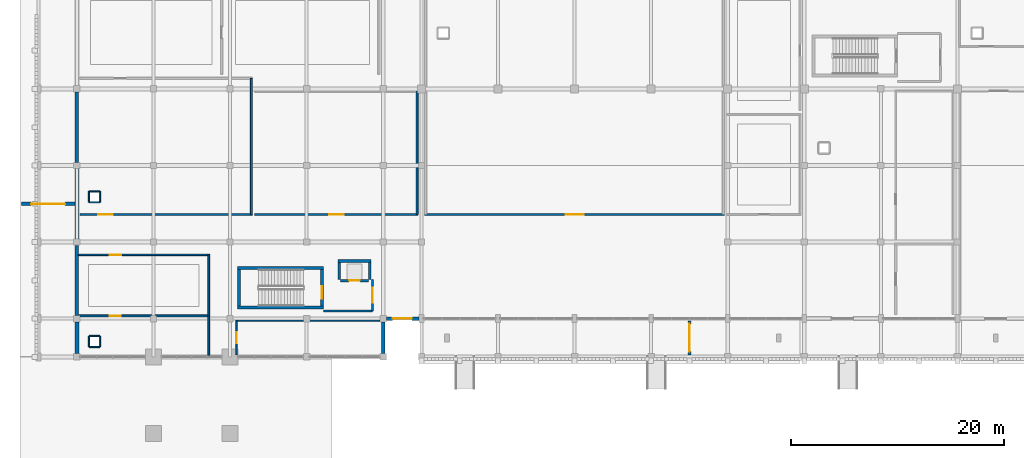
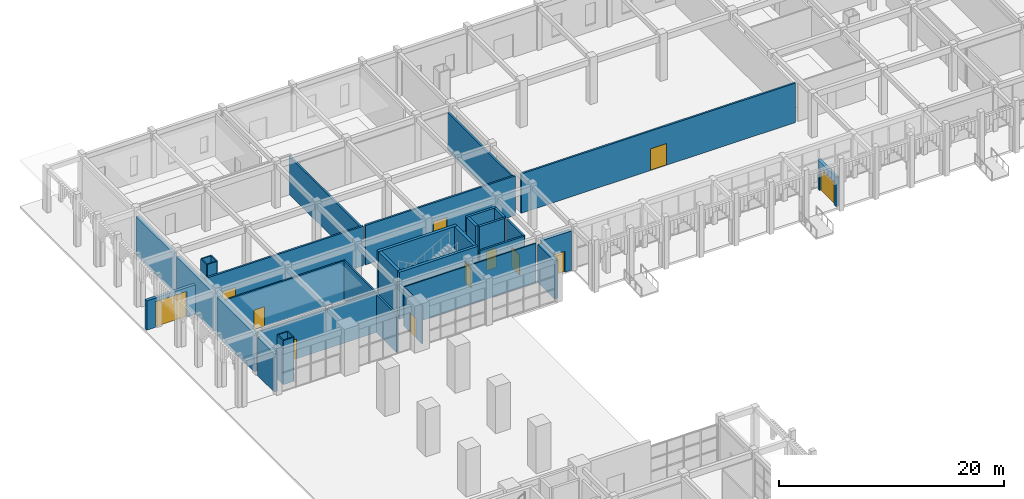
# One storey, part 37 of 72: 37 walls, 12 doors, 12 openings.
"""IFC4 building model written with IfcOpenShell, lengths in metres."""

import ifcopenshell
import ifcopenshell.guid

model = None  # the IFC model being written
_history = None  # IfcOwnerHistory: only IFC2X3 demands one
_inside = {}  # id of a spatial element -> (the spatial element, [elements in it])
_under = {}  # id of a project, library or spatial element -> (it, [spatial elements below it])
_declared = {}  # id of a project -> (the project, [libraries it declares])
_typed = {}  # id of a type object -> (the type object, [elements of that type])
_made_of = {}  # id of a material, layer set ... -> (it, [elements and type objects made of it])


def new_model(schema):
    """Start an empty IFC model of exactly this schema.

    Asked for "IFC4X3", IfcOpenShell would pick the latest addendum, in which some entities
    have other attributes; the version numbers below select the first issue.
    IFC2X3 requires an IfcOwnerHistory on every rooted entity: one is made here for all.
    """
    global model, _history
    if schema == "IFC4X3":
        model = ifcopenshell.file(schema_version=(4, 3, 0, 0))
    else:
        model = ifcopenshell.file(schema=schema)
    _inside.clear()
    _under.clear()
    _declared.clear()
    _typed.clear()
    _made_of.clear()
    _history = None
    if model.schema == "IFC2X3":
        org = make("IfcOrganization", Name="unknown")
        user = make(
            "IfcPersonAndOrganization",
            ThePerson=make("IfcPerson", FamilyName="unknown"),
            TheOrganization=org,
        )
        app = make(
            "IfcApplication",
            ApplicationDeveloper=org,
            Version="unknown",
            ApplicationFullName="unknown",
            ApplicationIdentifier="unknown",
        )
        _history = make(
            "IfcOwnerHistory",
            OwningUser=user,
            OwningApplication=app,
            ChangeAction="ADDED",
            CreationDate=0,
        )
    return model


def make(cls, **values):
    """One entity of the class cls with the attributes given. An attribute that is None is left unset."""
    return model.create_entity(
        cls, **{name: value for name, value in values.items() if value is not None}
    )


def rooted(cls, **values):
    """An entity with a GlobalId (a new one), such as an element, a storey or a relation."""
    return make(cls, GlobalId=ifcopenshell.guid.new(), OwnerHistory=_history, **values)


def si_unit(unit_type, name, prefix=None):
    """IfcSIUnit, for example si_unit("LENGTHUNIT", "METRE", prefix="MILLI")."""
    return make("IfcSIUnit", UnitType=unit_type, Prefix=prefix, Name=name)


def assignment(units):
    """IfcUnitAssignment: the units of a project."""
    return None if units is None else make("IfcUnitAssignment", Units=units)


def point(xyz):
    """IfcCartesianPoint."""
    return None if xyz is None else make("IfcCartesianPoint", Coordinates=xyz)


def direction(xyz):
    """IfcDirection."""
    return None if xyz is None else make("IfcDirection", DirectionRatios=xyz)


def frame(location, z_axis=None, x_axis=None):
    """IfcAxis2Placement3D, a coordinate frame: its origin and axes. An axis left out is left unset."""
    return make(
        "IfcAxis2Placement3D",
        Location=point(location),
        Axis=direction(z_axis),
        RefDirection=direction(x_axis),
    )


def frame_2d(location, x_axis=None):
    """IfcAxis2Placement2D, a coordinate frame in the plane: its origin and x axis."""
    return make(
        "IfcAxis2Placement2D", Location=point(location), RefDirection=direction(x_axis)
    )


def origin():
    """The frame at (0, 0, 0) with its axes left unset."""
    return frame((0.0, 0.0, 0.0))


def place(relative_to, where):
    """IfcLocalPlacement: puts the frame where relative to a parent placement (None: the world)."""
    return make(
        "IfcLocalPlacement", PlacementRelTo=relative_to, RelativePlacement=where
    )


def context(
    kind, dimensions, precision=None, world=None, true_north=None, identifier=None
):
    """IfcGeometricRepresentationContext, for example the 3D "Model" context."""
    return make(
        "IfcGeometricRepresentationContext",
        ContextIdentifier=identifier,
        ContextType=kind,
        CoordinateSpaceDimension=dimensions,
        Precision=precision,
        WorldCoordinateSystem=world,
        TrueNorth=true_north,
    )


def subcontext(parent, identifier, kind, view, scale=None):
    """IfcGeometricRepresentationSubContext, for example "Body" below "Model"."""
    return make(
        "IfcGeometricRepresentationSubContext",
        ContextIdentifier=identifier,
        ContextType=kind,
        ParentContext=parent,
        TargetScale=scale,
        TargetView=view,
    )


def project(units=None, contexts=None):
    """IfcProject with its units and contexts."""
    return rooted(
        "IfcProject",
        Name="project",
        RepresentationContexts=contexts,
        UnitsInContext=assignment(units),
    )


def spatial(cls, under=None, at=None, **own):
    """A site, building, storey or space (cls), placed at a placement, below another one or the project."""
    s = rooted(cls, ObjectPlacement=at, **own)
    if under is not None:
        _under.setdefault(under.id(), (under, []))[1].append(s)
    return s


def profile(cls, at=None, kind="AREA", **sizes):
    """A parametric profile (cls). Its sizes go by their IFC names, for example OverallWidth=200.0."""
    return make(cls, ProfileType=kind, Position=at, **sizes)


def rectangle(**sizes):
    """IfcRectangleProfileDef."""
    return profile("IfcRectangleProfileDef", **sizes)


def extrude(swept, where, along, depth):
    """IfcExtrudedAreaSolid: the profile swept, set in the frame where, extruded along a direction by depth."""
    return make(
        "IfcExtrudedAreaSolid",
        SweptArea=swept,
        Position=where,
        ExtrudedDirection=direction(along),
        Depth=depth,
    )


def shape(context_of_items, identifier, shape_type, items):
    """IfcShapeRepresentation: the items that make up one representation, for example the "Body"."""
    return make(
        "IfcShapeRepresentation",
        ContextOfItems=context_of_items,
        RepresentationIdentifier=identifier,
        RepresentationType=shape_type,
        Items=items,
    )


def material(Name=None, Category=None):
    """IfcMaterial."""
    return make("IfcMaterial", Name=Name, Category=Category)


def layer(
    of_material, thickness, ventilated=None, Name=None, Category=None, Priority=None
):
    """IfcMaterialLayer: one layer of a wall or slab, of a material (None: an air gap)."""
    return make(
        "IfcMaterialLayer",
        Material=of_material,
        LayerThickness=thickness,
        IsVentilated=ventilated,
        Name=Name,
        Category=Category,
        Priority=Priority,
    )


def layer_set(layers, Name=None):
    """IfcMaterialLayerSet."""
    return make("IfcMaterialLayerSet", MaterialLayers=layers, LayerSetName=Name)


def made_of(thing, what):
    """Note that an element or type object is made of a material, layer set ...; save() writes the relation."""
    if what is not None:
        _made_of.setdefault(what.id(), (what, []))[1].append(thing)
    return thing


def type_object(cls, material=None, **own):
    """A type object (cls), such as IfcWallType, which elements share."""
    return made_of(rooted(cls, **own), material)


def element(
    cls,
    number,
    at=None,
    inside=None,
    cuts=None,
    type_object=None,
    material=None,
    context=None,
    identifier="Body",
    shape_type=None,
    held_by="IfcProductDefinitionShape",
    body=None,
    shapes=None,
    **own,
):
    """One element of the class cls, such as IfcWall. Its Tag is "e" and its number.

    at: its placement. inside: the storey or other place that contains it. cuts: it is an
    opening in that element (IfcRelVoidsElement). A single representation is given by context,
    identifier, shape_type and body (its items); several are given by shapes. held_by: the class
    of the entity that holds the representations. save() writes the other relations.
    """
    e = rooted(cls, Tag="e%d" % number, ObjectPlacement=at, **own)
    if body is not None:
        shapes = [shape(context, identifier, shape_type, body)]
    if shapes is not None:
        e.Representation = make(held_by, Representations=shapes)
    if inside is not None:
        _inside.setdefault(inside.id(), (inside, []))[1].append(e)
    if cuts is not None:
        rooted(
            "IfcRelVoidsElement", RelatingBuildingElement=cuts, RelatedOpeningElement=e
        )
    if type_object is not None:
        _typed.setdefault(type_object.id(), (type_object, []))[1].append(e)
    return made_of(e, material)


def fill(opening, filler):
    """IfcRelFillsElement: the door or window that sits in an opening."""
    return rooted(
        "IfcRelFillsElement",
        RelatingOpeningElement=opening,
        RelatedBuildingElement=filler,
    )


def aggregate(whole, parts):
    """IfcRelAggregates: a whole, such as a stair, and the parts it consists of."""
    return rooted("IfcRelAggregates", RelatingObject=whole, RelatedObjects=parts)


def save(model, path):
    """Write the relations noted so far, then the file.

    IfcRelAggregates (storeys below a building ...), IfcRelContainedInSpatialStructure (elements
    in a storey), IfcRelDefinesByType, IfcRelAssociatesMaterial and IfcRelDeclares: one each for
    every whole, place, type object, material and project.
    """
    for whole, parts in _under.values():
        aggregate(whole, parts)
    for where, things in _inside.values():
        rooted(
            "IfcRelContainedInSpatialStructure",
            RelatedElements=things,
            RelatingStructure=where,
        )
    for kind, things in _typed.values():
        rooted("IfcRelDefinesByType", RelatedObjects=things, RelatingType=kind)
    for what, things in _made_of.values():
        rooted("IfcRelAssociatesMaterial", RelatedObjects=things, RelatingMaterial=what)
    for by, libraries in _declared.values():
        rooted("IfcRelDeclares", RelatingContext=by, RelatedDefinitions=libraries)
    model.write(path)


model = new_model("IFC4")

# Units and contexts
model_context = context("Model", 3, precision=1e-05, world=origin(), true_north=direction((0.0, 1.0)))
body_context = subcontext(model_context, "Body", "Model", "MODEL_VIEW")
ifc_project = project(units=[si_unit("LENGTHUNIT", "METRE"), si_unit("AREAUNIT", "SQUARE_METRE"), si_unit("VOLUMEUNIT", "CUBIC_METRE"), si_unit("PLANEANGLEUNIT", "RADIAN"), si_unit("MASSUNIT", "GRAM", prefix="KILO")], contexts=[model_context])

# Site, building, storey
site_placement = place(None, origin())
site = spatial("IfcSite", under=ifc_project, at=site_placement, CompositionType="ELEMENT")
building_placement = place(site_placement, origin())
building = spatial("IfcBuilding", under=site, at=building_placement, Name="Nzembalo Square Collegiate School", CompositionType="ELEMENT")
storey_placement = place(building_placement, origin())
storey = spatial("IfcBuildingStorey", under=building, at=storey_placement, Name="L00", CompositionType="ELEMENT", Elevation=0.0)

# Walls
ifc_material_1 = material(Name="Concrete C40/50", Category="concrete")
ifc_layer_1 = layer(ifc_material_1, 0.300048828125, Name="Concrete C40/50")
ifc_layer_set_1 = layer_set([ifc_layer_1], Name="Concrete C40/50")
wall_type_1 = type_object("IfcWallType", Name="SW02", PredefinedType="SHEAR", material=ifc_layer_set_1)
wall_1_placement = place(storey_placement, frame((23.64990234375, 84.0, 0.0), z_axis=(0.0, 0.0, 1.0), x_axis=(0.0, 1.0, 0.0)))
element("IfcWall", 1, at=wall_1_placement, inside=storey, type_object=wall_type_1, Name="Core C2 stair shear wall W L00", PredefinedType="SHEAR", context=body_context, shape_type="SweptSolid", body=[
    extrude(rectangle(XDim=3.39990234375, YDim=0.300048828125, at=frame_2d((1.699951171875, 0.0))), origin(), (0.0, 0.0, 1.0), 5.10009765625),
])
for number, where, z_axis, x_axis, name in (
    (2, (23.5, 83.85009765625, 0.0), (0.0, 0.0, 1.0), (1.0, 0.0, 0.0), "Core C2 stair shear wall S L00"),
    (3, (23.5, 87.550048828125, 0.0), (0.0, 0.0, 1.0), (1.0, 0.0, 0.0), "Core C2 stair shear wall N L00"),
):
    element("IfcWall", number, at=place(storey_placement, frame(where, z_axis=z_axis, x_axis=x_axis)), inside=storey, type_object=wall_type_1, Name=name, PredefinedType="SHEAR", context=body_context, shape_type="SweptSolid", body=[
        extrude(rectangle(XDim=8.10009765625, YDim=0.300048828125, at=frame_2d((4.050048828125, 0.0))), origin(), (0.0, 0.0, 1.0), 5.10009765625),
    ])

# Wall, opening, door
wall_2_placement = place(storey_placement, frame((31.449951171875, 84.0, 0.0), z_axis=(0.0, 0.0, 1.0), x_axis=(0.0, 1.0, 0.0)))
wall_2 = element("IfcWall", 4, at=wall_2_placement, inside=storey, type_object=wall_type_1, Name="Core C2 stair shear wall E L00", PredefinedType="SHEAR", context=body_context, shape_type="SweptSolid", body=[
    extrude(rectangle(XDim=3.39990234375, YDim=0.300048828125, at=frame_2d((1.699951171875, 0.0))), origin(), (0.0, 0.0, 1.0), 5.10009765625),
])
opening_1_placement = place(wall_2_placement, frame((0.64990234375, 0.0, 0.0)))
opening_1 = element("IfcOpeningElement", 5, at=opening_1_placement, cuts=wall_2, Name="Opening FD-013", PredefinedType="OPENING", context=body_context, shape_type="SweptSolid", body=[
    extrude(rectangle(XDim=1.199951171875, YDim=2.199951171875, at=frame_2d((0.60009765625, 1.10009765625))), frame((0.0, 0.16015625, 0.0), z_axis=(0.0, -1.0, 0.0), x_axis=(1.0, 0.0, 0.0)), (0.0, 0.0, 1.0), 0.320068359375),
])
ifc_material_2 = material(Name="Fire-rated steel acoustic door", Category="steel")
door_type_1 = type_object("IfcDoorType", Name="FD01", OperationType="NOTDEFINED", PredefinedType="DOOR", material=ifc_material_2)
door_1_placement = place(opening_1_placement, frame((1.199951171875, 0.0, 0.0), z_axis=(0.0, 0.0, 1.0), x_axis=(-1.0, 0.0, 0.0)))
door_1 = element("IfcDoor", 6, at=door_1_placement, inside=storey, type_object=door_type_1, Name="Stair fire door FD-013", OperationType="SINGLE_SWING_LEFT", OverallHeight=2.199951171875, OverallWidth=1.199951171875, PredefinedType="DOOR", context=body_context, shape_type="SweptSolid", body=[
    extrude(rectangle(XDim=1.199951171875, YDim=2.199951171875, at=frame_2d((0.60009765625, 1.10009765625))), frame((0.0, 0.02490234375, 0.0), z_axis=(0.0, -1.0, 0.0), x_axis=(1.0, 0.0, 0.0)), (0.0, 0.0, 1.0), 0.050048828125),
])
fill(opening_1, door_1)

# Walls
ifc_material_3 = material(Name="Concrete C35/45", Category="concrete")
ifc_layer_2 = layer(ifc_material_3, 0.239990234375, Name="Concrete C35/45")
ifc_layer_set_2 = layer_set([ifc_layer_2], Name="Concrete C35/45")
wall_type_2 = type_object("IfcWallType", Name="SW06", PredefinedType="SHEAR", material=ifc_layer_set_2)
for number, where, z_axis, x_axis, name in (
    (7, (33.080078125, 86.5, 0.0), (0.0, 0.0, 1.0), (0.0, 1.0, 0.0), "Lift LF2 shaft wall W L00"),
    (8, (35.919921875, 86.5, 0.0), (0.0, 0.0, 1.0), (0.0, 1.0, 0.0), "Lift LF2 shaft wall E L00"),
):
    element("IfcWall", number, at=place(storey_placement, frame(where, z_axis=z_axis, x_axis=x_axis)), inside=storey, type_object=wall_type_2, Name=name, PredefinedType="SHEAR", context=body_context, shape_type="SweptSolid", body=[
        extrude(rectangle(XDim=1.60009765625, YDim=0.239990234375, at=frame_2d((0.800048828125, 0.0))), origin(), (0.0, 0.0, 1.0), 5.10009765625),
    ])
wall_3_placement = place(storey_placement, frame((32.9599609375, 88.219970703125, 0.0), z_axis=(0.0, 0.0, 1.0), x_axis=(1.0, 0.0, 0.0)))
element("IfcWall", 9, at=wall_3_placement, inside=storey, type_object=wall_type_2, Name="Lift LF2 shaft wall N L00", PredefinedType="SHEAR", context=body_context, shape_type="SweptSolid", body=[
    extrude(rectangle(XDim=3.080078125, YDim=0.239990234375, at=frame_2d((1.5400390625, 0.0))), origin(), (0.0, 0.0, 1.0), 5.10009765625),
])

# Wall, opening, door
wall_4_placement = place(storey_placement, frame((33.199951171875, 86.3798828125, 0.0), z_axis=(0.0, 0.0, 1.0), x_axis=(1.0, 0.0, 0.0)))
wall_4 = element("IfcWall", 10, at=wall_4_placement, inside=storey, type_object=wall_type_2, Name="Lift LF2 landing front wall L00", PredefinedType="SHEAR", context=body_context, shape_type="SweptSolid", body=[
    extrude(rectangle(XDim=2.60009765625, YDim=0.239990234375, at=frame_2d((1.300048828125, 0.0))), origin(), (0.0, 0.0, 1.0), 5.10009765625),
])
opening_2_placement = place(wall_4_placement, frame((0.800048828125, 0.0, 0.0)))
opening_2 = element("IfcOpeningElement", 11, at=opening_2_placement, cuts=wall_4, Name="Opening LD-LF2-L00", PredefinedType="OPENING", context=body_context, shape_type="SweptSolid", body=[
    extrude(rectangle(XDim=1.0, YDim=2.14990234375, at=frame_2d((0.5, 1.074951171875))), frame((0.0, 0.1298828125, 0.0), z_axis=(0.0, -1.0, 0.0), x_axis=(1.0, 0.0, 0.0)), (0.0, 0.0, 1.0), 0.260009765625),
])
ifc_material_4 = material(Name="Stainless-steel sliding landing door", Category="steel")
door_type_2 = type_object("IfcDoorType", Name="LD02", OperationType="DOUBLE_DOOR_SLIDING", PredefinedType="DOOR", material=ifc_material_4)
door_2_placement = place(opening_2_placement, origin())
door_2 = element("IfcDoor", 12, at=door_2_placement, inside=storey, type_object=door_type_2, Name="Sliding lift landing door LD-LF2-L00", OperationType="DOUBLE_DOOR_SLIDING", OverallHeight=2.14990234375, OverallWidth=1.0, PredefinedType="DOOR", context=body_context, shape_type="SweptSolid", body=[
    extrude(rectangle(XDim=1.0, YDim=2.14990234375, at=frame_2d((0.5, 1.074951171875))), frame((0.0, 0.02490234375, 0.0), z_axis=(0.0, -1.0, 0.0), x_axis=(1.0, 0.0, 0.0)), (0.0, 0.0, 1.0), 0.050048828125),
])
fill(opening_2, door_2)

# Walls
ifc_material_5 = material(Name="Concrete C35/45", Category="concrete")
ifc_layer_3 = layer(ifc_material_5, 0.360107421875, Name="Concrete C35/45")
ifc_layer_set_3 = layer_set([ifc_layer_3], Name="Concrete C35/45")
wall_type_3 = type_object("IfcWallType", Name="W01", PredefinedType="SOLIDWALL", material=ifc_layer_set_3)
wall_5_placement = place(storey_placement, frame((8.39990234375, 79.501953125, 0.0), z_axis=(0.0, 0.0, 1.0), x_axis=(0.0, 1.0, 0.0)))
element("IfcWall", 13, at=wall_5_placement, inside=storey, type_object=wall_type_3, Name="Exterior wall W01 L00", PredefinedType="SOLIDWALL", context=body_context, shape_type="SweptSolid", body=[
    extrude(rectangle(XDim=2.99609375, YDim=0.360107421875, at=frame_2d((1.498046875, 0.0))), origin(), (0.0, 0.0, 1.0), 4.134033203125),
])
wall_6_placement = place(storey_placement, frame((8.39990234375, 90.302001953125, 0.0), z_axis=(0.0, 0.0, 1.0), x_axis=(0.0, 1.0, 0.0)))
element("IfcWall", 14, at=wall_6_placement, inside=storey, type_object=wall_type_3, Name="Exterior wall W01 L00", PredefinedType="SOLIDWALL", context=body_context, shape_type="SweptSolid", body=[
    extrude(rectangle(XDim=6.595947265625, YDim=0.360107421875, at=frame_2d((3.2978515625, 0.0))), origin(), (0.0, 0.0, 1.0), 4.134033203125),
])
wall_7_placement = place(storey_placement, frame((37.199951171875, 79.501953125, 0.0), z_axis=(0.0, 0.0, 1.0), x_axis=(0.0, 1.0, 0.0)))
element("IfcWall", 15, at=wall_7_placement, inside=storey, type_object=wall_type_3, Name="Exterior wall W01 L00", PredefinedType="SOLIDWALL", context=body_context, shape_type="SweptSolid", body=[
    extrude(rectangle(XDim=2.99609375, YDim=0.360107421875, at=frame_2d((1.498046875, 0.0))), origin(), (0.0, 0.0, 1.0), 4.134033203125),
])
ifc_material_6 = material(Name="Concrete C35/45", Category="concrete")
ifc_layer_4 = layer(ifc_material_6, 0.340087890625, Name="Concrete C35/45")
ifc_layer_set_4 = layer_set([ifc_layer_4], Name="Concrete C35/45")
wall_type_4 = type_object("IfcWallType", Name="W02", PredefinedType="SOLIDWALL", material=ifc_layer_set_4)
for number, where, z_axis, x_axis, name in (
    (16, (8.39990234375, 83.10205078125, 0.0), (0.0, 0.0, 1.0), (0.0, 1.0, 0.0), "Exterior wall W02 L00"),
    (17, (8.39990234375, 97.501953125, 0.0), (0.0, 0.0, 1.0), (0.0, 1.0, 0.0), "Exterior wall W02 L00"),
):
    element("IfcWall", number, at=place(storey_placement, frame(where, z_axis=z_axis, x_axis=x_axis)), inside=storey, type_object=wall_type_4, Name=name, PredefinedType="SOLIDWALL", context=body_context, shape_type="SweptSolid", body=[
        extrude(rectangle(XDim=6.595947265625, YDim=0.340087890625, at=frame_2d((3.2978515625, 0.0))), origin(), (0.0, 0.0, 1.0), 4.134033203125),
    ])

# Wall, opening, door
wall_8_placement = place(storey_placement, frame((37.501953125, 82.800048828125, 0.0), z_axis=(0.0, 0.0, 1.0), x_axis=(1.0, 0.0, 0.0)))
wall_8 = element("IfcWall", 18, at=wall_8_placement, inside=storey, type_object=wall_type_4, Name="Exterior wall W02 L00", PredefinedType="SOLIDWALL", context=body_context, shape_type="SweptSolid", body=[
    extrude(rectangle(XDim=3.071044921875, YDim=0.340087890625, at=frame_2d((1.53564453125, 0.0))), origin(), (0.0, 0.0, 1.0), 4.283935546875),
])
opening_3_placement = place(wall_8_placement, frame((0.597900390625, 0.0, 0.0)))
opening_3 = element("IfcOpeningElement", 19, at=opening_3_placement, cuts=wall_8, Name="Opening E05", PredefinedType="OPENING", context=body_context, shape_type="SweptSolid", body=[
    extrude(rectangle(XDim=1.800048828125, YDim=2.300048828125, at=frame_2d((0.89990234375, 1.14990234375))), frame((0.0, 0.18017578125, 0.0), z_axis=(0.0, -1.0, 0.0), x_axis=(1.0, 0.0, 0.0)), (0.0, 0.0, 1.0), 0.360107421875),
])
ifc_material_7 = material(Name="Powder-coated steel and safety glass", Category="steel")
door_type_3 = type_object("IfcDoorType", Name="ED02", OperationType="DOUBLE_DOOR_SINGLE_SWING", PredefinedType="DOOR", material=ifc_material_7)
door_3_placement = place(opening_3_placement, frame((1.800048828125, 0.0, 0.0), z_axis=(0.0, 0.0, 1.0), x_axis=(-1.0, 0.0, 0.0)))
door_3 = element("IfcDoor", 20, at=door_3_placement, inside=storey, type_object=door_type_3, Name="Exterior door E05", OperationType="DOUBLE_DOOR_SINGLE_SWING", OverallHeight=2.300048828125, OverallWidth=1.800048828125, PredefinedType="DOOR", context=body_context, shape_type="SweptSolid", body=[
    extrude(rectangle(XDim=1.800048828125, YDim=2.300048828125, at=frame_2d((0.89990234375, 1.14990234375))), frame((0.0, 0.02490234375, 0.0), z_axis=(0.0, -1.0, 0.0), x_axis=(1.0, 0.0, 0.0)), (0.0, 0.0, 1.0), 0.050048828125),
])
fill(opening_3, door_3)

ifc_material_8 = material(Name="Concrete C35/45", Category="concrete")
ifc_layer_5 = layer(ifc_material_8, 0.300048828125, Name="Concrete C35/45")
ifc_layer_set_5 = layer_set([ifc_layer_5], Name="Concrete C35/45")
wall_type_5 = type_object("IfcWallType", Name="W04", PredefinedType="SOLIDWALL", material=ifc_layer_set_5)
wall_9_placement = place(storey_placement, frame((3.199951171875, 93.60009765625, 0.0), z_axis=(0.0, 0.0, 1.0), x_axis=(1.0, 0.0, 0.0)))
wall_9 = element("IfcWall", 21, at=wall_9_placement, inside=storey, type_object=wall_type_5, Name="Portal screen wall VG-02", PredefinedType="SOLIDWALL", context=body_context, shape_type="SweptSolid", body=[
    extrude(rectangle(XDim=5.0, YDim=0.300048828125, at=frame_2d((2.5, 0.0))), origin(), (0.0, 0.0, 1.0), 3.199951171875),
])
opening_4_placement = place(wall_9_placement, frame((0.89990234375, 0.0, 0.0)))
opening_4 = element("IfcOpeningElement", 22, at=opening_4_placement, cuts=wall_9, Name="Opening VG-02", PredefinedType="OPENING", context=body_context, shape_type="SweptSolid", body=[
    extrude(rectangle(XDim=3.199951171875, YDim=2.800048828125, at=frame_2d((1.60009765625, 1.39990234375))), frame((0.0, 0.16015625, 0.0), z_axis=(0.0, -1.0, 0.0), x_axis=(1.0, 0.0, 0.0)), (0.0, 0.0, 1.0), 0.320068359375),
])
ifc_material_9 = material(Name="Powder-coated steel and safety glass", Category="steel")
door_type_4 = type_object("IfcDoorType", Name="VG01", OperationType="DOUBLE_DOOR_SINGLE_SWING", PredefinedType="GATE", material=ifc_material_9)
door_4_placement = place(opening_4_placement, origin())
door_4 = element("IfcDoor", 23, at=door_4_placement, inside=storey, type_object=door_type_4, Name="Service gate VG-02", OperationType="DOUBLE_DOOR_SINGLE_SWING", OverallHeight=2.800048828125, OverallWidth=3.199951171875, PredefinedType="GATE", context=body_context, shape_type="SweptSolid", body=[
    extrude(rectangle(XDim=3.199951171875, YDim=2.800048828125, at=frame_2d((1.60009765625, 1.39990234375))), frame((0.0, 0.02490234375, 0.0), z_axis=(0.0, -1.0, 0.0), x_axis=(1.0, 0.0, 0.0)), (0.0, 0.0, 1.0), 0.050048828125),
])
fill(opening_4, door_4)

wall_10_placement = place(storey_placement, frame((66.0, 79.39990234375, 0.0), z_axis=(0.0, 0.0, 1.0), x_axis=(0.0, 1.0, 0.0)))
wall_10 = element("IfcWall", 24, at=wall_10_placement, inside=storey, type_object=wall_type_5, Name="Portal screen wall VG-04", PredefinedType="SOLIDWALL", context=body_context, shape_type="SweptSolid", body=[
    extrude(rectangle(XDim=3.2001953125, YDim=0.300048828125, at=frame_2d((1.60009765625, 0.0))), origin(), (0.0, 0.0, 1.0), 3.199951171875),
])
opening_5_placement = place(wall_10_placement, frame((0.300048828125, 0.0, 0.0)))
opening_5 = element("IfcOpeningElement", 25, at=opening_5_placement, cuts=wall_10, Name="Opening VG-04", PredefinedType="OPENING", context=body_context, shape_type="SweptSolid", body=[
    extrude(rectangle(XDim=2.60009765625, YDim=2.5, at=frame_2d((1.300048828125, 1.25))), frame((0.0, 0.16015625, 0.0), z_axis=(0.0, -1.0, 0.0), x_axis=(1.0, 0.0, 0.0)), (0.0, 0.0, 1.0), 0.320068359375),
])
ifc_material_10 = material(Name="Powder-coated steel and safety glass", Category="steel")
door_type_5 = type_object("IfcDoorType", Name="VG02", OperationType="DOUBLE_DOOR_SINGLE_SWING", PredefinedType="GATE", material=ifc_material_10)
door_5_placement = place(opening_5_placement, origin())
door_5 = element("IfcDoor", 26, at=door_5_placement, inside=storey, type_object=door_type_5, Name="Service gate VG-04", OperationType="DOUBLE_DOOR_SINGLE_SWING", OverallHeight=2.5, OverallWidth=2.60009765625, PredefinedType="GATE", context=body_context, shape_type="SweptSolid", body=[
    extrude(rectangle(XDim=2.60009765625, YDim=2.5, at=frame_2d((1.300048828125, 1.25))), frame((0.0, 0.02490234375, 0.0), z_axis=(0.0, -1.0, 0.0), x_axis=(1.0, 0.0, 0.0)), (0.0, 0.0, 1.0), 0.050048828125),
])
fill(opening_5, door_5)

ifc_material_11 = material(Name="Concrete blockwork C25/30", Category="masonry")
ifc_layer_6 = layer(ifc_material_11, 0.199951171875, Name="Concrete blockwork C25/30")
ifc_layer_set_6 = layer_set([ifc_layer_6], Name="Concrete blockwork C25/30")
wall_type_6 = type_object("IfcWallType", Name="W11", PredefinedType="PARTITIONING", material=ifc_layer_set_6)
wall_11_placement = place(storey_placement, frame((36.199951171875, 83.5, 0.0), z_axis=(0.0, 0.0, 1.0), x_axis=(0.0, 1.0, 0.0)))
wall_11 = element("IfcWall", 27, at=wall_11_placement, inside=storey, type_object=wall_type_6, Name="Core C2 EI 60 lobby wall E L00", PredefinedType="PARTITIONING", context=body_context, shape_type="SweptSolid", body=[
    extrude(rectangle(XDim=3.0, YDim=0.199951171875, at=frame_2d((1.5, 0.0))), origin(), (0.0, 0.0, 1.0), 4.77392578125),
])
opening_6_placement = place(wall_11_placement, frame((0.77490234375, 0.0, 0.0)))
opening_6 = element("IfcOpeningElement", 28, at=opening_6_placement, cuts=wall_11, Name="Opening FD-014", PredefinedType="OPENING", context=body_context, shape_type="SweptSolid", body=[
    extrude(rectangle(XDim=1.449951171875, YDim=2.199951171875, at=frame_2d((0.72509765625, 1.10009765625))), frame((0.0, 0.10986328125, 0.0), z_axis=(0.0, -1.0, 0.0), x_axis=(1.0, 0.0, 0.0)), (0.0, 0.0, 1.0), 0.219970703125),
])
ifc_material_12 = material(Name="Fire-rated double lobby door")
door_type_6 = type_object("IfcDoorType", Name="FD02", OperationType="DOUBLE_DOOR_SINGLE_SWING", PredefinedType="DOOR", material=ifc_material_12)
door_6_placement = place(opening_6_placement, frame((1.449951171875, 0.0, 0.0), z_axis=(0.0, 0.0, 1.0), x_axis=(-1.0, 0.0, 0.0)))
door_6 = element("IfcDoor", 29, at=door_6_placement, inside=storey, type_object=door_type_6, Name="Protected lobby fire door FD-014", OperationType="DOUBLE_DOOR_SINGLE_SWING", OverallHeight=2.199951171875, OverallWidth=1.449951171875, PredefinedType="DOOR", context=body_context, shape_type="SweptSolid", body=[
    extrude(rectangle(XDim=1.449951171875, YDim=2.199951171875, at=frame_2d((0.72509765625, 1.10009765625))), frame((0.0, 0.02490234375, 0.0), z_axis=(0.0, -1.0, 0.0), x_axis=(1.0, 0.0, 0.0)), (0.0, 0.0, 1.0), 0.050048828125),
])
fill(opening_6, door_6)

# Wall
wall_12_placement = place(storey_placement, frame((31.60009765625, 83.5, 0.0), z_axis=(0.0, 0.0, 1.0), x_axis=(1.0, 0.0, 0.0)))
element("IfcWall", 30, at=wall_12_placement, inside=storey, type_object=wall_type_6, Name="Core C2 EI 60 lobby wall S L00", PredefinedType="PARTITIONING", context=body_context, shape_type="SweptSolid", body=[
    extrude(rectangle(XDim=4.599853515625, YDim=0.199951171875, at=frame_2d((2.2998046875, 0.0))), origin(), (0.0, 0.0, 1.0), 4.77392578125),
])

# Wall, opening, door
ifc_material_13 = material(Name="Acoustic double-board stud")
ifc_layer_7 = layer(ifc_material_13, 0.14990234375, Name="Acoustic double-board stud")
ifc_layer_set_7 = layer_set([ifc_layer_7], Name="Acoustic double-board stud")
wall_type_7 = type_object("IfcWallType", Name="W17", PredefinedType="PARTITIONING", material=ifc_layer_set_7)
wall_13_placement = place(storey_placement, frame((8.52490234375, 88.800048828125, 0.0), z_axis=(0.0, 0.0, 1.0), x_axis=(1.0, 0.0, 0.0)))
wall_13 = element("IfcWall", 31, at=wall_13_placement, inside=storey, type_object=wall_type_7, Name="Interior partition W17 L00-028-N", PredefinedType="PARTITIONING", context=body_context, shape_type="SweptSolid", body=[
    extrude(rectangle(XDim=12.35009765625, YDim=0.14990234375, at=frame_2d((6.175048828125, 0.0))), origin(), (0.0, 0.0, 1.0), 4.283935546875),
])
opening_7_placement = place(wall_13_placement, frame((2.955078125, 0.0, 0.0)))
opening_7 = element("IfcOpeningElement", 32, at=opening_7_placement, cuts=wall_13, Name="Opening D-L00-013", PredefinedType="OPENING", context=body_context, shape_type="SweptSolid", body=[
    extrude(rectangle(XDim=1.080078125, YDim=2.159912109375, at=frame_2d((0.5400390625, 1.080078125))), frame((0.0, 0.0849609375, 0.0), z_axis=(0.0, -1.0, 0.0), x_axis=(1.0, 0.0, 0.0)), (0.0, 0.0, 1.0), 0.169921875),
])
ifc_material_14 = material(Name="Acoustic oak classroom door")
door_type_7 = type_object("IfcDoorType", Name="D13", OperationType="NOTDEFINED", PredefinedType="DOOR", material=ifc_material_14)
door_7_placement = place(opening_7_placement, origin())
door_7 = element("IfcDoor", 33, at=door_7_placement, inside=storey, type_object=door_type_7, Name="Interior door D-L00-013 (Student Commons Vestibule)", OperationType="SINGLE_SWING_RIGHT", OverallHeight=2.159912109375, OverallWidth=1.080078125, PredefinedType="DOOR", context=body_context, shape_type="SweptSolid", body=[
    extrude(rectangle(XDim=1.080078125, YDim=2.159912109375, at=frame_2d((0.5400390625, 1.080078125))), frame((0.0, 0.02490234375, 0.0), z_axis=(0.0, -1.0, 0.0), x_axis=(1.0, 0.0, 0.0)), (0.0, 0.0, 1.0), 0.050048828125),
])
fill(opening_7, door_7)

# Walls
wall_14_placement = place(storey_placement, frame((20.800048828125, 83.050048828125, 0.0), z_axis=(0.0, 0.0, 1.0), x_axis=(0.0, 1.0, 0.0)))
element("IfcWall", 34, at=wall_14_placement, inside=storey, type_object=wall_type_7, Name="Interior partition W17 L00-028-E", PredefinedType="PARTITIONING", context=body_context, shape_type="SweptSolid", body=[
    extrude(rectangle(XDim=5.75, YDim=0.14990234375, at=frame_2d((2.875, 0.0))), origin(), (0.0, 0.0, 1.0), 4.283935546875),
])
ifc_material_15 = material(Name="Cement-board wet-room partition")
ifc_layer_8 = layer(ifc_material_15, 0.135009765625, Name="Cement-board wet-room partition")
ifc_layer_set_8 = layer_set([ifc_layer_8], Name="Cement-board wet-room partition")
wall_type_8 = type_object("IfcWallType", Name="W19", PredefinedType="PARTITIONING", material=ifc_layer_set_8)
wall_15_placement = place(storey_placement, frame((23.33251953125, 82.60009765625, 0.0), z_axis=(0.0, 0.0, 1.0), x_axis=(1.0, 0.0, 0.0)))
element("IfcWall", 35, at=wall_15_placement, inside=storey, type_object=wall_type_8, Name="Interior partition W19 L00-025-N", PredefinedType="PARTITIONING", context=body_context, shape_type="SweptSolid", body=[
    extrude(rectangle(XDim=13.534912109375, YDim=0.135009765625, at=frame_2d((6.767578125, 0.0))), origin(), (0.0, 0.0, 1.0), 4.283935546875),
])

# Wall, opening, door
wall_16_placement = place(storey_placement, frame((23.39990234375, 79.39990234375, 0.0), z_axis=(0.0, 0.0, 1.0), x_axis=(0.0, 1.0, 0.0)))
wall_16 = element("IfcWall", 36, at=wall_16_placement, inside=storey, type_object=wall_type_8, Name="Interior partition W19 L00-025-W", PredefinedType="PARTITIONING", context=body_context, shape_type="SweptSolid", body=[
    extrude(rectangle(XDim=3.2001953125, YDim=0.135009765625, at=frame_2d((1.60009765625, 0.0))), origin(), (0.0, 0.0, 1.0), 4.134033203125),
])
opening_8_placement = place(wall_16_placement, frame((1.080078125, 0.0, 0.0)))
opening_8 = element("IfcOpeningElement", 37, at=opening_8_placement, cuts=wall_16, Name="Opening D-L00-012", PredefinedType="OPENING", context=body_context, shape_type="SweptSolid", body=[
    extrude(rectangle(XDim=1.0400390625, YDim=2.1201171875, at=frame_2d((0.52001953125, 1.06005859375))), frame((0.0, 0.07763671875, 0.0), z_axis=(0.0, -1.0, 0.0), x_axis=(1.0, 0.0, 0.0)), (0.0, 0.0, 1.0), 0.155029296875),
])
ifc_material_16 = material(Name="Accessible outward-swing WC door")
door_type_8 = type_object("IfcDoorType", Name="D09", OperationType="NOTDEFINED", PredefinedType="DOOR", material=ifc_material_16)
door_8_placement = place(opening_8_placement, origin())
door_8 = element("IfcDoor", 38, at=door_8_placement, inside=storey, type_object=door_type_8, Name="Interior door D-L00-012 (Ground Boys', Girls' and Wheelchair Accessible WCs West)", OperationType="SINGLE_SWING_LEFT", OverallHeight=2.1201171875, OverallWidth=1.0400390625, PredefinedType="DOOR", context=body_context, shape_type="SweptSolid", body=[
    extrude(rectangle(XDim=1.0400390625, YDim=2.1201171875, at=frame_2d((0.52001953125, 1.06005859375))), frame((0.0, 0.02490234375, 0.0), z_axis=(0.0, -1.0, 0.0), x_axis=(1.0, 0.0, 0.0)), (0.0, 0.0, 1.0), 0.050048828125),
])
fill(opening_8, door_8)

ifc_material_17 = material(Name="High-mass acoustic blockwork", Category="masonry")
ifc_layer_9 = layer(ifc_material_17, 0.18505859375, Name="High-mass acoustic blockwork")
ifc_layer_set_9 = layer_set([ifc_layer_9], Name="High-mass acoustic blockwork")
wall_type_9 = type_object("IfcWallType", Name="W22", PredefinedType="PARTITIONING", material=ifc_layer_set_9)
wall_17_placement = place(storey_placement, frame((8.507568359375, 83.050048828125, 0.0), z_axis=(0.0, 0.0, 1.0), x_axis=(1.0, 0.0, 0.0)))
wall_17 = element("IfcWall", 39, at=wall_17_placement, inside=storey, type_object=wall_type_9, Name="Interior partition W22 L00-024-N", PredefinedType="PARTITIONING", context=body_context, shape_type="SweptSolid", body=[
    extrude(rectangle(XDim=12.385009765625, YDim=0.18505859375, at=frame_2d((6.1923828125, 0.0))), origin(), (0.0, 0.0, 1.0), 4.283935546875),
])
opening_9_placement = place(wall_17_placement, frame((2.97998046875, 0.0, 0.0)))
opening_9 = element("IfcOpeningElement", 40, at=opening_9_placement, cuts=wall_17, Name="Opening D-L00-011", PredefinedType="OPENING", context=body_context, shape_type="SweptSolid", body=[
    extrude(rectangle(XDim=1.050048828125, YDim=2.14990234375, at=frame_2d((0.52490234375, 1.074951171875))), frame((0.0, 0.1025390625, 0.0), z_axis=(0.0, -1.0, 0.0), x_axis=(1.0, 0.0, 0.0)), (0.0, 0.0, 1.0), 0.205078125),
])
ifc_material_18 = material(Name="Fire-rated steel store door", Category="steel")
door_type_9 = type_object("IfcDoorType", Name="FD03", OperationType="NOTDEFINED", PredefinedType="DOOR", material=ifc_material_18)
door_9_placement = place(opening_9_placement, origin())
door_9 = element("IfcDoor", 41, at=door_9_placement, inside=storey, type_object=door_type_9, Name="Interior door D-L00-011 (Early-Years Music Studio)", OperationType="SINGLE_SWING_RIGHT", OverallHeight=2.14990234375, OverallWidth=1.050048828125, PredefinedType="DOOR", context=body_context, shape_type="SweptSolid", body=[
    extrude(rectangle(XDim=1.050048828125, YDim=2.14990234375, at=frame_2d((0.52490234375, 1.074951171875))), frame((0.0, 0.02490234375, 0.0), z_axis=(0.0, -1.0, 0.0), x_axis=(1.0, 0.0, 0.0)), (0.0, 0.0, 1.0), 0.050048828125),
])
fill(opening_9, door_9)

# Wall
wall_18_placement = place(storey_placement, frame((20.800048828125, 79.35009765625, 0.0), z_axis=(0.0, 0.0, 1.0), x_axis=(0.0, 1.0, 0.0)))
element("IfcWall", 42, at=wall_18_placement, inside=storey, type_object=wall_type_9, Name="Interior partition W22 L00-024-E", PredefinedType="PARTITIONING", context=body_context, shape_type="SweptSolid", body=[
    extrude(rectangle(XDim=3.699951171875, YDim=0.18505859375, at=frame_2d((1.85009765625, 0.0))), origin(), (0.0, 0.0, 1.0), 4.134033203125),
])

# Wall, opening, door
wall_19_placement = place(storey_placement, frame((8.70751953125, 92.60009765625, 0.0), z_axis=(0.0, 0.0, 1.0), x_axis=(1.0, 0.0, 0.0)))
wall_19 = element("IfcWall", 43, at=wall_19_placement, inside=storey, type_object=wall_type_9, Name="Interior partition W22 L00-029-S", PredefinedType="PARTITIONING", context=body_context, shape_type="SweptSolid", body=[
    extrude(rectangle(XDim=16.18505859375, YDim=0.18505859375, at=frame_2d((8.092529296875, 0.0))), origin(), (0.0, 0.0, 1.0), 4.283935546875),
])
opening_10_placement = place(wall_19_placement, frame((1.716552734375, 0.0, 0.0)))
opening_10 = element("IfcOpeningElement", 44, at=opening_10_placement, cuts=wall_19, Name="Opening D-L00-014", PredefinedType="OPENING", context=body_context, shape_type="SweptSolid", body=[
    extrude(rectangle(XDim=1.360107421875, YDim=2.239990234375, at=frame_2d((0.68017578125, 1.1201171875))), frame((0.0, 0.1025390625, 0.0), z_axis=(0.0, -1.0, 0.0), x_axis=(1.0, 0.0, 0.0)), (0.0, 0.0, 1.0), 0.205078125),
])
ifc_material_19 = material(Name="Hygienic stainless-clad kitchen door")
door_type_10 = type_object("IfcDoorType", Name="D11", OperationType="DOUBLE_DOOR_SINGLE_SWING", PredefinedType="DOOR", material=ifc_material_19)
door_10_placement = place(opening_10_placement, origin())
door_10 = element("IfcDoor", 45, at=door_10_placement, inside=storey, type_object=door_type_10, Name="Interior door D-L00-014 (Commercial Kitchen and Dishwash Hall)", OperationType="DOUBLE_DOOR_SINGLE_SWING", OverallHeight=2.239990234375, OverallWidth=1.360107421875, PredefinedType="DOOR", context=body_context, shape_type="SweptSolid", body=[
    extrude(rectangle(XDim=1.360107421875, YDim=2.239990234375, at=frame_2d((0.68017578125, 1.1201171875))), frame((0.0, 0.02490234375, 0.0), z_axis=(0.0, -1.0, 0.0), x_axis=(1.0, 0.0, 0.0)), (0.0, 0.0, 1.0), 0.050048828125),
])
fill(opening_10, door_10)

# Wall
wall_20_placement = place(storey_placement, frame((24.800048828125, 92.60009765625, 0.0), z_axis=(0.0, 0.0, 1.0), x_axis=(0.0, 1.0, 0.0)))
element("IfcWall", 46, at=wall_20_placement, inside=storey, type_object=wall_type_9, Name="Interior partition W22 L00-029-E", PredefinedType="PARTITIONING", context=body_context, shape_type="SweptSolid", body=[
    extrude(rectangle(XDim=12.7998046875, YDim=0.18505859375, at=frame_2d((6.39990234375, 0.0))), origin(), (0.0, 0.0, 1.0), 4.134033203125),
])

# Wall, opening, door
wall_21_placement = place(storey_placement, frame((25.107421875, 92.60009765625, 0.0), z_axis=(0.0, 0.0, 1.0), x_axis=(1.0, 0.0, 0.0)))
wall_21 = element("IfcWall", 47, at=wall_21_placement, inside=storey, type_object=wall_type_9, Name="Interior partition W22 L00-032-S", PredefinedType="PARTITIONING", context=body_context, shape_type="SweptSolid", body=[
    extrude(rectangle(XDim=15.385009765625, YDim=0.18505859375, at=frame_2d((7.6923828125, 0.0))), origin(), (0.0, 0.0, 1.0), 4.283935546875),
])
opening_11_placement = place(wall_21_placement, frame((7.012451171875, 0.0, 0.0)))
opening_11 = element("IfcOpeningElement", 48, at=opening_11_placement, cuts=wall_21, Name="Opening D-L00-017", PredefinedType="OPENING", context=body_context, shape_type="SweptSolid", body=[
    extrude(rectangle(XDim=1.360107421875, YDim=2.239990234375, at=frame_2d((0.68017578125, 1.1201171875))), frame((0.0, 0.1025390625, 0.0), z_axis=(0.0, -1.0, 0.0), x_axis=(1.0, 0.0, 0.0)), (0.0, 0.0, 1.0), 0.205078125),
])
door_11_placement = place(opening_11_placement, origin())
door_11 = element("IfcDoor", 49, at=door_11_placement, inside=storey, type_object=door_type_10, Name="Interior door D-L00-017 (Hot Servery Counter Hall)", OperationType="DOUBLE_DOOR_SINGLE_SWING", OverallHeight=2.239990234375, OverallWidth=1.360107421875, PredefinedType="DOOR", context=body_context, shape_type="SweptSolid", body=[
    extrude(rectangle(XDim=1.360107421875, YDim=2.239990234375, at=frame_2d((0.68017578125, 1.1201171875))), frame((0.0, 0.02490234375, 0.0), z_axis=(0.0, -1.0, 0.0), x_axis=(1.0, 0.0, 0.0)), (0.0, 0.0, 1.0), 0.050048828125),
])
fill(opening_11, door_11)

# Wall
wall_22_placement = place(storey_placement, frame((40.39990234375, 92.60009765625, 0.0), z_axis=(0.0, 0.0, 1.0), x_axis=(0.0, 1.0, 0.0)))
element("IfcWall", 50, at=wall_22_placement, inside=storey, type_object=wall_type_9, Name="Interior partition W22 L00-032-E", PredefinedType="PARTITIONING", context=body_context, shape_type="SweptSolid", body=[
    extrude(rectangle(XDim=11.599853515625, YDim=0.18505859375, at=frame_2d((5.7998046875, 0.0))), origin(), (0.0, 0.0, 1.0), 4.134033203125),
])

# Wall, opening, door
wall_23_placement = place(storey_placement, frame((41.107421875, 92.60009765625, 0.0), z_axis=(0.0, 0.0, 1.0), x_axis=(1.0, 0.0, 0.0)))
wall_23 = element("IfcWall", 51, at=wall_23_placement, inside=storey, type_object=wall_type_9, Name="Interior partition W22 L00-033-S", PredefinedType="PARTITIONING", context=body_context, shape_type="SweptSolid", body=[
    extrude(rectangle(XDim=28.18505859375, YDim=0.18505859375, at=frame_2d((14.092529296875, 0.0))), origin(), (0.0, 0.0, 1.0), 4.283935546875),
])
opening_12_placement = place(wall_23_placement, frame((13.25244140625, 0.0, 0.0)))
opening_12 = element("IfcOpeningElement", 52, at=opening_12_placement, cuts=wall_23, Name="Opening D-L00-018", PredefinedType="OPENING", context=body_context, shape_type="SweptSolid", body=[
    extrude(rectangle(XDim=1.679931640625, YDim=2.360107421875, at=frame_2d((0.83984375, 1.18017578125))), frame((0.0, 0.1025390625, 0.0), z_axis=(0.0, -1.0, 0.0), x_axis=(1.0, 0.0, 0.0)), (0.0, 0.0, 1.0), 0.205078125),
])
ifc_material_20 = material(Name="Double-leaf hall assembly door")
door_type_11 = type_object("IfcDoorType", Name="D05", OperationType="DOUBLE_DOOR_SINGLE_SWING", PredefinedType="DOOR", material=ifc_material_20)
door_12_placement = place(opening_12_placement, origin())
door_12 = element("IfcDoor", 53, at=door_12_placement, inside=storey, type_object=door_type_11, Name="Interior door D-L00-018 (Refectory Dining Hall)", OperationType="DOUBLE_DOOR_SINGLE_SWING", OverallHeight=2.360107421875, OverallWidth=1.679931640625, PredefinedType="DOOR", context=body_context, shape_type="SweptSolid", body=[
    extrude(rectangle(XDim=1.679931640625, YDim=2.360107421875, at=frame_2d((0.83984375, 1.18017578125))), frame((0.0, 0.02490234375, 0.0), z_axis=(0.0, -1.0, 0.0), x_axis=(1.0, 0.0, 0.0)), (0.0, 0.0, 1.0), 0.050048828125),
])
fill(opening_12, door_12)

# Walls
ifc_material_21 = material(Name="Fire-rated shaftwall stud")
ifc_layer_10 = layer(ifc_material_21, 0.1201171875, Name="Fire-rated shaftwall stud")
ifc_layer_set_10 = layer_set([ifc_layer_10], Name="Fire-rated shaftwall stud")
wall_type_10 = type_object("IfcWallType", Name="W23", PredefinedType="PARTITIONING", material=ifc_layer_set_10)
for number, where, z_axis, x_axis, name in (
    (54, (9.5400390625, 80.139892578125, 0.0), (0.0, 0.0, 1.0), (1.0, 0.0, 0.0), "Service riser shaftwall W23-001-1"),
    (55, (10.56005859375, 80.139892578125, 0.0), (0.0, 0.0, 1.0), (0.0, 1.0, 0.0), "Service riser shaftwall W23-001-2"),
    (56, (10.56005859375, 81.159912109375, 0.0), (0.0, 0.0, 1.0), (-1.0, 0.0, 0.0), "Service riser shaftwall W23-001-3"),
    (57, (9.5400390625, 81.159912109375, 0.0), (0.0, 0.0, 1.0), (0.0, -1.0, 0.0), "Service riser shaftwall W23-001-4"),
    (58, (9.5400390625, 93.739990234375, 0.0), (0.0, 0.0, 1.0), (1.0, 0.0, 0.0), "Service riser shaftwall W23-002-1"),
    (59, (10.56005859375, 93.739990234375, 0.0), (0.0, 0.0, 1.0), (0.0, 1.0, 0.0), "Service riser shaftwall W23-002-2"),
    (60, (10.56005859375, 94.760009765625, 0.0), (0.0, 0.0, 1.0), (-1.0, 0.0, 0.0), "Service riser shaftwall W23-002-3"),
    (61, (9.5400390625, 94.760009765625, 0.0), (0.0, 0.0, 1.0), (0.0, -1.0, 0.0), "Service riser shaftwall W23-002-4"),
):
    element("IfcWall", number, at=place(storey_placement, frame(where, z_axis=z_axis, x_axis=x_axis)), inside=storey, type_object=wall_type_10, Name=name, PredefinedType="PARTITIONING", context=body_context, shape_type="SweptSolid", body=[
        extrude(rectangle(XDim=1.02001953125, YDim=0.1201171875, at=frame_2d((0.510009765625, 0.0))), origin(), (0.0, 0.0, 1.0), 4.77392578125),
    ])

save(model, "model.ifc")
